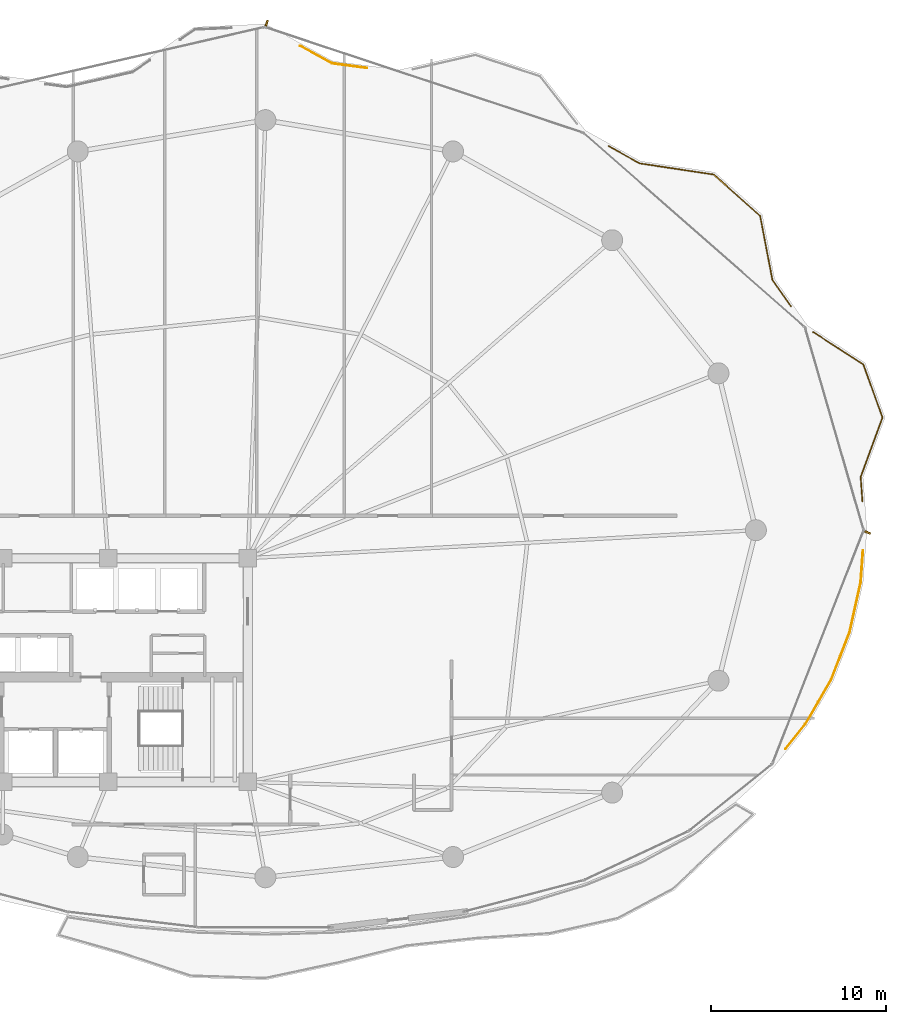
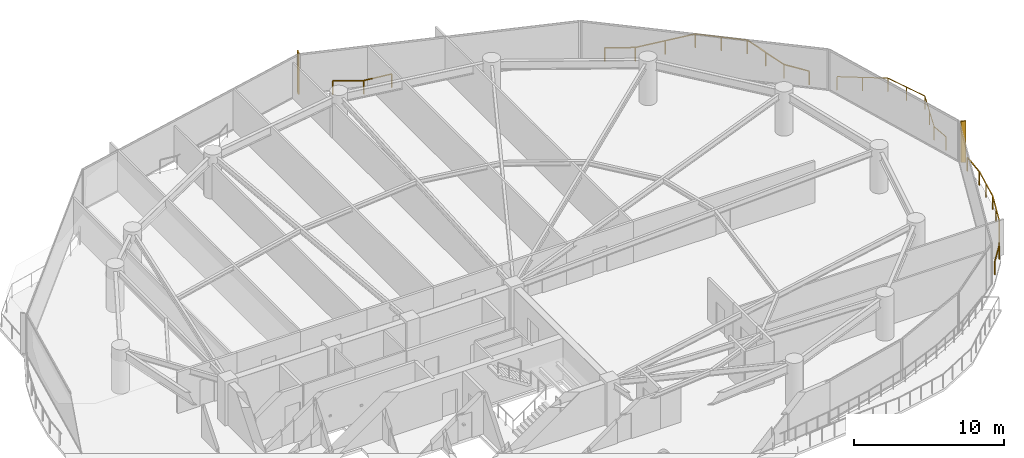
# One storey, part 34 of 34: 4 railings, 2 shading devices.
"""IFC4 building model written with IfcOpenShell, lengths in metres."""

import ifcopenshell
import ifcopenshell.guid

model = None  # the IFC model being written
_history = None  # IfcOwnerHistory: only IFC2X3 demands one
_inside = {}  # id of a spatial element -> (the spatial element, [elements in it])
_under = {}  # id of a project, library or spatial element -> (it, [spatial elements below it])
_declared = {}  # id of a project -> (the project, [libraries it declares])
_typed = {}  # id of a type object -> (the type object, [elements of that type])
_made_of = {}  # id of a material, layer set ... -> (it, [elements and type objects made of it])


def new_model(schema):
    """Start an empty IFC model of exactly this schema.

    Asked for "IFC4X3", IfcOpenShell would pick the latest addendum, in which some entities
    have other attributes; the version numbers below select the first issue.
    IFC2X3 requires an IfcOwnerHistory on every rooted entity: one is made here for all.
    """
    global model, _history
    if schema == "IFC4X3":
        model = ifcopenshell.file(schema_version=(4, 3, 0, 0))
    else:
        model = ifcopenshell.file(schema=schema)
    _inside.clear()
    _under.clear()
    _declared.clear()
    _typed.clear()
    _made_of.clear()
    _history = None
    if model.schema == "IFC2X3":
        org = make("IfcOrganization", Name="unknown")
        user = make(
            "IfcPersonAndOrganization",
            ThePerson=make("IfcPerson", FamilyName="unknown"),
            TheOrganization=org,
        )
        app = make(
            "IfcApplication",
            ApplicationDeveloper=org,
            Version="unknown",
            ApplicationFullName="unknown",
            ApplicationIdentifier="unknown",
        )
        _history = make(
            "IfcOwnerHistory",
            OwningUser=user,
            OwningApplication=app,
            ChangeAction="ADDED",
            CreationDate=0,
        )
    return model


def make(cls, **values):
    """One entity of the class cls with the attributes given. An attribute that is None is left unset."""
    return model.create_entity(
        cls, **{name: value for name, value in values.items() if value is not None}
    )


def rooted(cls, **values):
    """An entity with a GlobalId (a new one), such as an element, a storey or a relation."""
    return make(cls, GlobalId=ifcopenshell.guid.new(), OwnerHistory=_history, **values)


def si_unit(unit_type, name, prefix=None):
    """IfcSIUnit, for example si_unit("LENGTHUNIT", "METRE", prefix="MILLI")."""
    return make("IfcSIUnit", UnitType=unit_type, Prefix=prefix, Name=name)


def assignment(units):
    """IfcUnitAssignment: the units of a project."""
    return None if units is None else make("IfcUnitAssignment", Units=units)


def point(xyz):
    """IfcCartesianPoint."""
    return None if xyz is None else make("IfcCartesianPoint", Coordinates=xyz)


def direction(xyz):
    """IfcDirection."""
    return None if xyz is None else make("IfcDirection", DirectionRatios=xyz)


def frame(location, z_axis=None, x_axis=None):
    """IfcAxis2Placement3D, a coordinate frame: its origin and axes. An axis left out is left unset."""
    return make(
        "IfcAxis2Placement3D",
        Location=point(location),
        Axis=direction(z_axis),
        RefDirection=direction(x_axis),
    )


def frame_2d(location, x_axis=None):
    """IfcAxis2Placement2D, a coordinate frame in the plane: its origin and x axis."""
    return make(
        "IfcAxis2Placement2D", Location=point(location), RefDirection=direction(x_axis)
    )


def origin():
    """The frame at (0, 0, 0) with its axes left unset."""
    return frame((0.0, 0.0, 0.0))


def origin_2d():
    """The frame at (0, 0) in the plane with its x axis left unset."""
    return frame_2d((0.0, 0.0))


def place(relative_to, where):
    """IfcLocalPlacement: puts the frame where relative to a parent placement (None: the world)."""
    return make(
        "IfcLocalPlacement", PlacementRelTo=relative_to, RelativePlacement=where
    )


def context(
    kind, dimensions, precision=None, world=None, true_north=None, identifier=None
):
    """IfcGeometricRepresentationContext, for example the 3D "Model" context."""
    return make(
        "IfcGeometricRepresentationContext",
        ContextIdentifier=identifier,
        ContextType=kind,
        CoordinateSpaceDimension=dimensions,
        Precision=precision,
        WorldCoordinateSystem=world,
        TrueNorth=true_north,
    )


def subcontext(parent, identifier, kind, view, scale=None):
    """IfcGeometricRepresentationSubContext, for example "Body" below "Model"."""
    return make(
        "IfcGeometricRepresentationSubContext",
        ContextIdentifier=identifier,
        ContextType=kind,
        ParentContext=parent,
        TargetScale=scale,
        TargetView=view,
    )


def project(units=None, contexts=None):
    """IfcProject with its units and contexts."""
    return rooted(
        "IfcProject",
        Name="project",
        RepresentationContexts=contexts,
        UnitsInContext=assignment(units),
    )


def spatial(cls, under=None, at=None, **own):
    """A site, building, storey or space (cls), placed at a placement, below another one or the project."""
    s = rooted(cls, ObjectPlacement=at, **own)
    if under is not None:
        _under.setdefault(under.id(), (under, []))[1].append(s)
    return s


def profile(cls, at=None, kind="AREA", **sizes):
    """A parametric profile (cls). Its sizes go by their IFC names, for example OverallWidth=200.0."""
    return make(cls, ProfileType=kind, Position=at, **sizes)


def rectangle(**sizes):
    """IfcRectangleProfileDef."""
    return profile("IfcRectangleProfileDef", **sizes)


def extrude(swept, where, along, depth):
    """IfcExtrudedAreaSolid: the profile swept, set in the frame where, extruded along a direction by depth."""
    return make(
        "IfcExtrudedAreaSolid",
        SweptArea=swept,
        Position=where,
        ExtrudedDirection=direction(along),
        Depth=depth,
    )


def shape(context_of_items, identifier, shape_type, items):
    """IfcShapeRepresentation: the items that make up one representation, for example the "Body"."""
    return make(
        "IfcShapeRepresentation",
        ContextOfItems=context_of_items,
        RepresentationIdentifier=identifier,
        RepresentationType=shape_type,
        Items=items,
    )


def material(Name=None, Category=None):
    """IfcMaterial."""
    return make("IfcMaterial", Name=Name, Category=Category)


def made_of(thing, what):
    """Note that an element or type object is made of a material, layer set ...; save() writes the relation."""
    if what is not None:
        _made_of.setdefault(what.id(), (what, []))[1].append(thing)
    return thing


def type_object(cls, material=None, **own):
    """A type object (cls), such as IfcWallType, which elements share."""
    return made_of(rooted(cls, **own), material)


def element(
    cls,
    number,
    at=None,
    inside=None,
    cuts=None,
    type_object=None,
    material=None,
    context=None,
    identifier="Body",
    shape_type=None,
    held_by="IfcProductDefinitionShape",
    body=None,
    shapes=None,
    **own,
):
    """One element of the class cls, such as IfcWall. Its Tag is "e" and its number.

    at: its placement. inside: the storey or other place that contains it. cuts: it is an
    opening in that element (IfcRelVoidsElement). A single representation is given by context,
    identifier, shape_type and body (its items); several are given by shapes. held_by: the class
    of the entity that holds the representations. save() writes the other relations.
    """
    e = rooted(cls, Tag="e%d" % number, ObjectPlacement=at, **own)
    if body is not None:
        shapes = [shape(context, identifier, shape_type, body)]
    if shapes is not None:
        e.Representation = make(held_by, Representations=shapes)
    if inside is not None:
        _inside.setdefault(inside.id(), (inside, []))[1].append(e)
    if cuts is not None:
        rooted(
            "IfcRelVoidsElement", RelatingBuildingElement=cuts, RelatedOpeningElement=e
        )
    if type_object is not None:
        _typed.setdefault(type_object.id(), (type_object, []))[1].append(e)
    return made_of(e, material)


def aggregate(whole, parts):
    """IfcRelAggregates: a whole, such as a stair, and the parts it consists of."""
    return rooted("IfcRelAggregates", RelatingObject=whole, RelatedObjects=parts)


def save(model, path):
    """Write the relations noted so far, then the file.

    IfcRelAggregates (storeys below a building ...), IfcRelContainedInSpatialStructure (elements
    in a storey), IfcRelDefinesByType, IfcRelAssociatesMaterial and IfcRelDeclares: one each for
    every whole, place, type object, material and project.
    """
    for whole, parts in _under.values():
        aggregate(whole, parts)
    for where, things in _inside.values():
        rooted(
            "IfcRelContainedInSpatialStructure",
            RelatedElements=things,
            RelatingStructure=where,
        )
    for kind, things in _typed.values():
        rooted("IfcRelDefinesByType", RelatedObjects=things, RelatingType=kind)
    for what, things in _made_of.values():
        rooted("IfcRelAssociatesMaterial", RelatedObjects=things, RelatingMaterial=what)
    for by, libraries in _declared.values():
        rooted("IfcRelDeclares", RelatingContext=by, RelatedDefinitions=libraries)
    model.write(path)


model = new_model("IFC4")

# Units and contexts
model_context = context("Model", 3, precision=1e-05, world=origin(), true_north=direction((0.0, 1.0)))
body_context = subcontext(model_context, "Body", "Model", "MODEL_VIEW")
ifc_project = project(units=[si_unit("LENGTHUNIT", "METRE"), si_unit("AREAUNIT", "SQUARE_METRE"), si_unit("VOLUMEUNIT", "CUBIC_METRE"), si_unit("PLANEANGLEUNIT", "RADIAN"), si_unit("MASSUNIT", "GRAM", prefix="KILO")], contexts=[model_context])

# Site, building, storey
site_placement = place(None, origin())
site = spatial("IfcSite", under=ifc_project, at=site_placement, CompositionType="ELEMENT")
building_placement = place(site_placement, origin())
building = spatial("IfcBuilding", under=site, at=building_placement, Name="Kazevale Care Tower and Concert Hall", CompositionType="ELEMENT")
storey_placement = place(building_placement, frame((0.0, 0.0, 156.60009765625)))
storey = spatial("IfcBuildingStorey", under=building, at=storey_placement, Name="L41", CompositionType="ELEMENT", Elevation=156.60009765625)

# Railings
ifc_material_1 = material(Name="Anodised Bronze Aluminium and Laminated Glass", Category="aluminium")
railing_type = type_object("IfcRailingType", Name="Balcony and Terrace Balustrade 1120", PredefinedType="BALUSTRADE", material=ifc_material_1)
railing_1_placement = place(storey_placement, frame((46.9970703125, 65.69091796875, 0.0)))
element("IfcRailing", 1, at=railing_1_placement, inside=storey, type_object=railing_type, Name="rail:L41:perim:7", PredefinedType="BALUSTRADE", context=body_context, shape_type="SweptSolid", body=[
    extrude(rectangle(XDim=0.048095703125, YDim=0.048095703125, at=origin_2d()), frame((0.0, 0.0, 1.09619140625), z_axis=(0.87612356574, -0.482086607939, 0.0), x_axis=(0.482086607939, 0.87612356574, 0.0)), (0.0, 0.0, 1.0), 2.065673828125),
    extrude(rectangle(XDim=0.048095703125, YDim=0.048095703125, at=origin_2d()), frame((1.809814453125, -0.995849609375, 1.09619140625), z_axis=(0.991221543474, -0.132211390405, 0.0), x_axis=(0.132211390405, 0.991221543474, 0.0)), (0.0, 0.0, 1.0), 2.0126953125),
    extrude(rectangle(XDim=0.0419921875, YDim=0.0419921875, at=origin_2d()), origin(), (0.0, 0.0, 1.0), 1.072021484375),
    extrude(rectangle(XDim=0.0419921875, YDim=0.0419921875, at=origin_2d()), frame((1.809814453125, -0.995849609375, 0.0)), (0.0, 0.0, 1.0), 1.072021484375),
    extrude(rectangle(XDim=0.0419921875, YDim=0.0419921875, at=origin_2d()), frame((3.804931640625, -1.261962890625, 0.0)), (0.0, 0.0, 1.0), 1.072021484375),
])
railing_2_placement = place(storey_placement, frame((64.614990234375, 59.969970703125, 0.0)))
element("IfcRailing", 2, at=railing_2_placement, inside=storey, type_object=railing_type, Name="rail:L41:perim:9", PredefinedType="BALUSTRADE", context=body_context, shape_type="SweptSolid", body=[
    extrude(rectangle(XDim=0.048095703125, YDim=0.048095703125, at=origin_2d()), frame((0.0, 0.0, 1.09619140625), z_axis=(0.873734672104, -0.486402840003, 0.0), x_axis=(0.486402840003, 0.873734672104, 0.0)), (0.0, 0.0, 1.0), 2.04541015625),
    extrude(rectangle(XDim=0.048095703125, YDim=0.048095703125, at=origin_2d()), frame((1.787109375, -0.994873046875, 1.09619140625), z_axis=(0.988889933801, -0.148649584013, 0.0), x_axis=(0.148649584013, 0.988889933801, 0.0)), (0.0, 0.0, 1.0), 4.28662109375),
    extrude(rectangle(XDim=0.048095703125, YDim=0.048095703125, at=origin_2d()), frame((6.026123046875, -1.632080078125, 1.09619140625), z_axis=(0.746657358329, -0.66520883131, 0.0), x_axis=(0.66520883131, 0.746657358329, 0.0)), (0.0, 0.0, 1.0), 3.549072265625),
    extrude(rectangle(XDim=0.048095703125, YDim=0.048095703125, at=origin_2d()), frame((8.676025390625, -3.992919921875, 1.09619140625), z_axis=(0.188517658656, -0.982069800154, 0.0), x_axis=(0.982069800154, 0.188517658656, 0.0)), (0.0, 0.0, 1.0), 3.73486328125),
    extrude(rectangle(XDim=0.048095703125, YDim=0.048095703125, at=origin_2d()), frame((9.380126953125, -7.660888671875, 1.09619140625), z_axis=(0.575885416581, -0.817530419599, 0.0), x_axis=(0.817530419599, 0.575885416581, 0.0)), (0.0, 0.0, 1.0), 1.850830078125),
    extrude(rectangle(XDim=0.0419921875, YDim=0.0419921875, at=origin_2d()), origin(), (0.0, 0.0, 1.0), 1.072021484375),
    extrude(rectangle(XDim=0.0419921875, YDim=0.0419921875, at=origin_2d()), frame((1.787109375, -0.994873046875, 0.0)), (0.0, 0.0, 1.0), 1.072021484375),
    extrude(rectangle(XDim=0.0419921875, YDim=0.0419921875, at=origin_2d()), frame((3.90673828125, -1.3134765625, 0.0)), (0.0, 0.0, 1.0), 1.072021484375),
    extrude(rectangle(XDim=0.0419921875, YDim=0.0419921875, at=origin_2d()), frame((6.026123046875, -1.632080078125, 0.0)), (0.0, 0.0, 1.0), 1.072021484375),
    extrude(rectangle(XDim=0.0419921875, YDim=0.0419921875, at=origin_2d()), frame((7.35107421875, -2.8125, 0.0)), (0.0, 0.0, 1.0), 1.072021484375),
    extrude(rectangle(XDim=0.0419921875, YDim=0.0419921875, at=origin_2d()), frame((8.676025390625, -3.992919921875, 0.0)), (0.0, 0.0, 1.0), 1.072021484375),
    extrude(rectangle(XDim=0.0419921875, YDim=0.0419921875, at=origin_2d()), frame((9.028076171875, -5.826904296875, 0.0)), (0.0, 0.0, 1.0), 1.072021484375),
    extrude(rectangle(XDim=0.0419921875, YDim=0.0419921875, at=origin_2d()), frame((9.380126953125, -7.660888671875, 0.0)), (0.0, 0.0, 1.0), 1.072021484375),
    extrude(rectangle(XDim=0.0419921875, YDim=0.0419921875, at=origin_2d()), frame((10.446044921875, -9.174072265625, 0.0)), (0.0, 0.0, 1.0), 1.072021484375),
])
railing_3_placement = place(storey_placement, frame((79.176025390625, 36.844970703125, 0.0)))
element("IfcRailing", 3, at=railing_3_placement, inside=storey, type_object=railing_type, Name="rail:L41:perim:10", PredefinedType="BALUSTRADE", context=body_context, shape_type="SweptSolid", body=[
    extrude(rectangle(XDim=0.048095703125, YDim=0.048095703125, at=origin_2d()), frame((0.0, 0.0, 1.09619140625), z_axis=(-0.071578588161, -0.997434963151, 0.0), x_axis=(0.997434963151, -0.071578588161, 0.0)), (0.0, 0.0, 1.0), 1.83154296875),
    extrude(rectangle(XDim=0.048095703125, YDim=0.048095703125, at=origin_2d()), frame((-0.131103515625, -1.826904296875, 1.09619140625), z_axis=(-0.217745961145, -0.9760054797, 0.0), x_axis=(0.9760054797, -0.217745961145, 0.0)), (0.0, 0.0, 1.0), 2.94775390625),
    extrude(rectangle(XDim=0.048095703125, YDim=0.048095703125, at=origin_2d()), frame((-0.77294921875, -4.703857421875, 1.09619140625), z_axis=(-0.363468066155, -0.931606657815, 0.0), x_axis=(0.931606657815, -0.363468066155, 0.0)), (0.0, 0.0, 1.0), 2.91650390625),
    extrude(rectangle(XDim=0.048095703125, YDim=0.048095703125, at=origin_2d()), frame((-1.8330078125, -7.4208984375, 1.09619140625), z_axis=(-0.502610267332, -0.864513111047, 0.0), x_axis=(0.864513111047, -0.502610267332, 0.0)), (0.0, 0.0, 1.0), 2.9150390625),
    extrude(rectangle(XDim=0.048095703125, YDim=0.048095703125, at=origin_2d()), frame((-3.298095703125, -9.94091796875, 1.09619140625), z_axis=(-0.628318296441, -0.777956373043, 0.0), x_axis=(0.777956373043, -0.628318296441, 0.0)), (0.0, 0.0, 1.0), 1.812744140625),
    extrude(rectangle(XDim=0.0419921875, YDim=0.0419921875, at=origin_2d()), origin(), (0.0, 0.0, 1.0), 1.072021484375),
    extrude(rectangle(XDim=0.0419921875, YDim=0.0419921875, at=origin_2d()), frame((-0.131103515625, -1.826904296875, 0.0)), (0.0, 0.0, 1.0), 1.072021484375),
    extrude(rectangle(XDim=0.0419921875, YDim=0.0419921875, at=origin_2d()), frame((-0.4521484375, -3.265380859375, 0.0)), (0.0, 0.0, 1.0), 1.072021484375),
    extrude(rectangle(XDim=0.0419921875, YDim=0.0419921875, at=origin_2d()), frame((-0.77294921875, -4.703857421875, 0.0)), (0.0, 0.0, 1.0), 1.072021484375),
    extrude(rectangle(XDim=0.0419921875, YDim=0.0419921875, at=origin_2d()), frame((-1.302978515625, -6.0625, 0.0)), (0.0, 0.0, 1.0), 1.072021484375),
    extrude(rectangle(XDim=0.0419921875, YDim=0.0419921875, at=origin_2d()), frame((-1.8330078125, -7.4208984375, 0.0)), (0.0, 0.0, 1.0), 1.072021484375),
    extrude(rectangle(XDim=0.0419921875, YDim=0.0419921875, at=origin_2d()), frame((-2.5654296875, -8.680908203125, 0.0)), (0.0, 0.0, 1.0), 1.072021484375),
    extrude(rectangle(XDim=0.0419921875, YDim=0.0419921875, at=origin_2d()), frame((-3.298095703125, -9.94091796875, 0.0)), (0.0, 0.0, 1.0), 1.072021484375),
    extrude(rectangle(XDim=0.0419921875, YDim=0.0419921875, at=origin_2d()), frame((-4.43701171875, -11.35107421875, 0.0)), (0.0, 0.0, 1.0), 1.072021484375),
])
railing_4_placement = place(storey_placement, frame((76.3359375, 49.324951171875, 0.0)))
element("IfcRailing", 4, at=railing_4_placement, inside=storey, type_object=railing_type, Name="rail:L41:perim:11", PredefinedType="BALUSTRADE", context=body_context, shape_type="SweptSolid", body=[
    extrude(rectangle(XDim=0.048095703125, YDim=0.048095703125, at=origin_2d()), frame((0.0, 0.0, 1.09619140625), z_axis=(0.838906479955, -0.544275590018, 0.0), x_axis=(0.544275590018, 0.838906479955, 0.0)), (0.0, 0.0, 1.0), 3.408203125),
    extrude(rectangle(XDim=0.048095703125, YDim=0.048095703125, at=origin_2d()), frame((2.859130859375, -1.85498046875, 1.09619140625), z_axis=(0.340056192401, -0.940405118026, 0.0), x_axis=(0.940405118026, 0.340056192401, 0.0)), (0.0, 0.0, 1.0), 3.219970703125),
    extrude(rectangle(XDim=0.048095703125, YDim=0.048095703125, at=origin_2d()), frame((3.9541015625, -4.883056640625, 1.09619140625), z_axis=(-0.344686514971, -0.938717852391, 0.0), x_axis=(0.938717852391, -0.344686514971, 0.0)), (0.0, 0.0, 1.0), 3.620849609375),
    extrude(rectangle(XDim=0.048095703125, YDim=0.048095703125, at=origin_2d()), frame((2.7060546875, -8.281982421875, 1.09619140625), z_axis=(0.071504807896, -0.997440255077, 0.0), x_axis=(0.997440255077, 0.071504807896, 0.0)), (0.0, 0.0, 1.0), 1.41357421875),
    extrude(rectangle(XDim=0.0419921875, YDim=0.0419921875, at=origin_2d()), origin(), (0.0, 0.0, 1.0), 1.072021484375),
    extrude(rectangle(XDim=0.0419921875, YDim=0.0419921875, at=origin_2d()), frame((1.4296875, -0.927490234375, 0.0)), (0.0, 0.0, 1.0), 1.072021484375),
    extrude(rectangle(XDim=0.0419921875, YDim=0.0419921875, at=origin_2d()), frame((2.859130859375, -1.85498046875, 0.0)), (0.0, 0.0, 1.0), 1.072021484375),
    extrude(rectangle(XDim=0.0419921875, YDim=0.0419921875, at=origin_2d()), frame((3.40673828125, -3.369140625, 0.0)), (0.0, 0.0, 1.0), 1.072021484375),
    extrude(rectangle(XDim=0.0419921875, YDim=0.0419921875, at=origin_2d()), frame((3.9541015625, -4.883056640625, 0.0)), (0.0, 0.0, 1.0), 1.072021484375),
    extrude(rectangle(XDim=0.0419921875, YDim=0.0419921875, at=origin_2d()), frame((3.330078125, -6.58251953125, 0.0)), (0.0, 0.0, 1.0), 1.072021484375),
    extrude(rectangle(XDim=0.0419921875, YDim=0.0419921875, at=origin_2d()), frame((2.7060546875, -8.281982421875, 0.0)), (0.0, 0.0, 1.0), 1.072021484375),
    extrude(rectangle(XDim=0.0419921875, YDim=0.0419921875, at=origin_2d()), frame((2.80712890625, -9.69189453125, 0.0)), (0.0, 0.0, 1.0), 1.072021484375),
])

# Shading devices
ifc_material_2 = material(Name="Anodised Bronze Aluminium", Category="aluminium")
shading_device_type = type_object("IfcShadingDeviceType", Name="Waist Anodised Bronze-Stone Fin FIN-02", PredefinedType="USERDEFINED", material=ifc_material_2)
for number, where, z_axis, x_axis, name in (
    (5, (79.44384765625, 37.869384765625, 0.0), (0.0, 0.0, 1.0), (0.931373876365, -0.364064146031, 0.0), "cw:L41:f01:fin"),
    (6, (45.07666015625, 66.998291015625, 0.0), (0.0, 0.0, 1.0), (0.314820866332, 0.949151106053, 0.0), "cw:L41:f16:fin"),
):
    element("IfcShadingDevice", number, at=place(storey_placement, frame(where, z_axis=z_axis, x_axis=x_axis)), inside=storey, type_object=shading_device_type, Name=name, ObjectType="FIN", PredefinedType="USERDEFINED", context=body_context, shape_type="SweptSolid", body=[
        extrude(rectangle(XDim=0.340087890625, YDim=0.10009765625, at=origin_2d()), origin(), (0.0, 0.0, 1.0), 3.360107421875),
    ])

save(model, "model.ifc")
